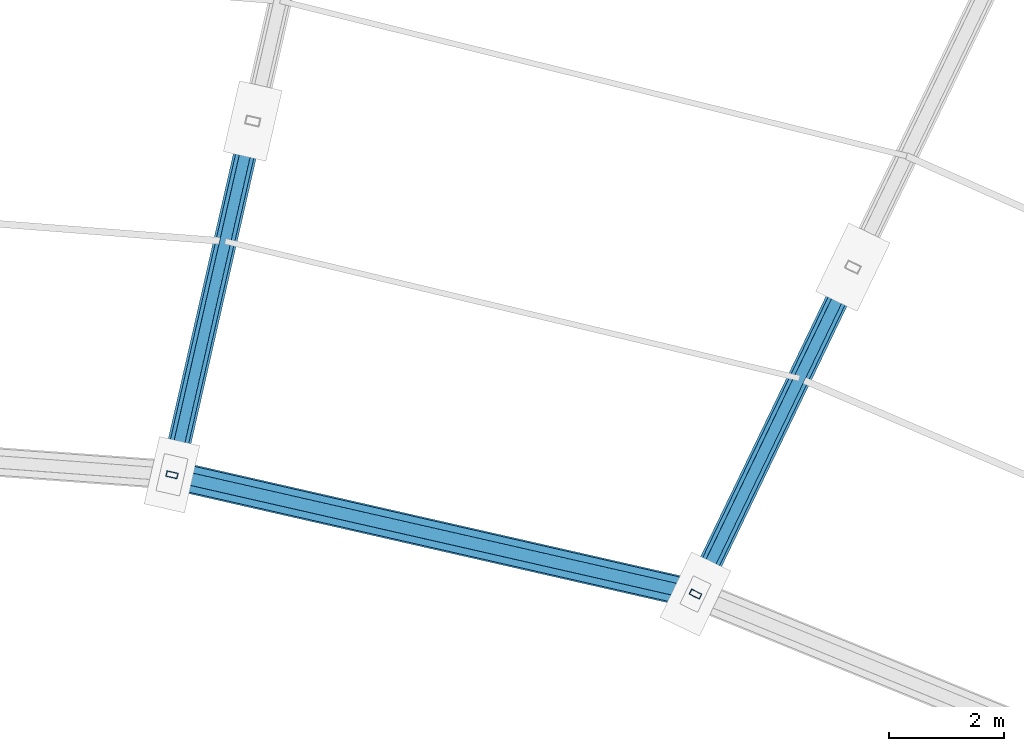
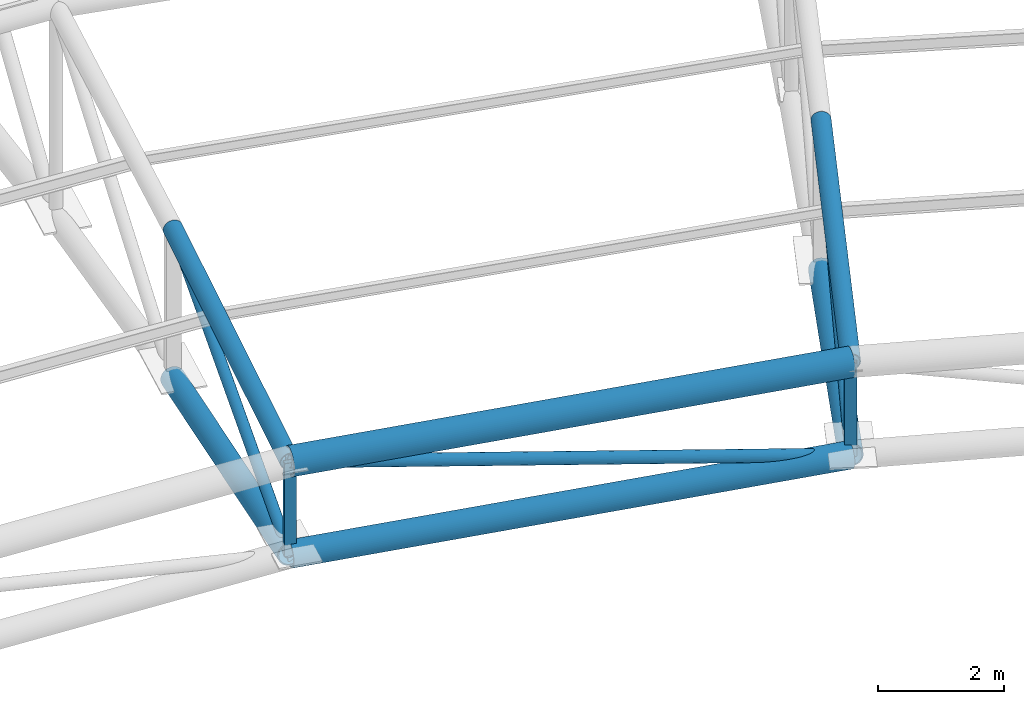
# One storey, part 51 of 108: 11 members.
"""IFC4 building model written with IfcOpenShell, lengths in metres."""

from ifc_helpers import new_model, si_unit, direction, frame, origin, origin_2d, place, context, subcontext, project, spatial, hollow_rectangle, hollow_circle, extrude, material, material_profile, profile_set, type_object, element, save


model = new_model("IFC4")

# Units and contexts
model_context = context("Model", 3, precision=1e-05, world=origin(), true_north=direction((0.0, 1.0)))
body_context = subcontext(model_context, "Body", "Model", "MODEL_VIEW")
ifc_project = project(units=[si_unit("LENGTHUNIT", "METRE"), si_unit("AREAUNIT", "SQUARE_METRE"), si_unit("VOLUMEUNIT", "CUBIC_METRE"), si_unit("PLANEANGLEUNIT", "RADIAN"), si_unit("MASSUNIT", "GRAM", prefix="KILO")], contexts=[model_context])

# Site, building, storey
site_placement = place(None, origin())
site = spatial("IfcSite", under=ifc_project, at=site_placement, CompositionType="ELEMENT")
building_placement = place(site_placement, origin())
building = spatial("IfcBuilding", under=site, at=building_placement, Name="Zevraka Park Crest Stadium", CompositionType="ELEMENT")
storey_placement = place(building_placement, frame((0.0, 0.0, 29.39990234375)))
storey = spatial("IfcBuildingStorey", under=building, at=storey_placement, Name="RF", CompositionType="ELEMENT", Elevation=29.39990234375)

# Members
ifc_material_1 = material(Name="Steel S355", Category="steel")
ifc_material_profile_1 = material_profile(ifc_material_1, hollow_circle(Radius=0.25390625, WallThickness=0.030029296875, at=origin_2d()), Name="CHS 508.0x30")
ifc_profile_set_1 = profile_set([ifc_material_profile_1], Name="Steel S355")
member_type_1 = type_object("IfcMemberType", Name="TC01", PredefinedType="CHORD", material=ifc_profile_set_1)
member_1_placement = place(storey_placement, frame((130.656982421875, 117.22705078125, 9.0), z_axis=(-0.975007666978, 0.222171216261, 0.0), x_axis=(-0.222171216261, -0.975007666978, 0.0)))
element("IfcMember", 1, at=member_1_placement, inside=storey, type_object=member_type_1, Name="Roof Inner Oculus Compression-Tension Ring TC01 06", PredefinedType="CHORD", context=body_context, shape_type="SweptSolid", body=[
    extrude(hollow_circle(Radius=0.25390625, WallThickness=0.030029296875, at=origin_2d()), origin(), (0.0, 0.0, 1.0), 9.32177734375),
])
ifc_material_2 = material(Name="Steel S355", Category="steel")
ifc_material_profile_2 = material_profile(ifc_material_2, hollow_circle(Radius=0.228515625, WallThickness=0.02490234375, at=origin_2d()), Name="CHS 457.0x25")
ifc_profile_set_2 = profile_set([ifc_material_profile_2], Name="Steel S355")
member_type_2 = type_object("IfcMemberType", Name="TC02", PredefinedType="CHORD", material=ifc_profile_set_2)
member_2_placement = place(storey_placement, frame((130.656982421875, 117.22705078125, 7.2001953125), z_axis=(-0.975007666978, 0.222171216261, 0.0), x_axis=(-0.222171216261, -0.975007666978, 0.0)))
element("IfcMember", 2, at=member_2_placement, inside=storey, type_object=member_type_2, Name="Roof Inner Oculus Bottom Ring TC02 06", PredefinedType="CHORD", context=body_context, shape_type="SweptSolid", body=[
    extrude(hollow_circle(Radius=0.228515625, WallThickness=0.02490234375, at=origin_2d()), origin(), (0.0, 0.0, 1.0), 9.32177734375),
])
ifc_material_3 = material(Name="Steel S355", Category="steel")
ifc_material_profile_3 = material_profile(ifc_material_3, hollow_circle(Radius=0.203125, WallThickness=0.02001953125, at=origin_2d()), Name="CHS 406.4x20")
ifc_profile_set_3 = profile_set([ifc_material_profile_3], Name="Steel S355")
member_type_3 = type_object("IfcMemberType", Name="TC03", PredefinedType="CHORD", material=ifc_profile_set_3)
for number, where, z_axis, x_axis, name in (
    (3, (133.389892578125, 122.903076171875, 6.400146484375), (-0.430360126312, -0.89382192037, 0.125986254594), (0.901001108726, -0.433816783994, 0.0), "Roof Truss Bottom Chord TC03 T06-7"),
    (4, (122.969970703125, 125.43994140625, 6.400146484375), (-0.220750829989, -0.967159287709, 0.125984059539), (0.974927248717, -0.222523840765, 0.0), "Roof Truss Bottom Chord TC03 T07-7"),
):
    element("IfcMember", number, at=place(storey_placement, frame(where, z_axis=z_axis, x_axis=x_axis)), inside=storey, type_object=member_type_3, Name=name, PredefinedType="CHORD", context=body_context, shape_type="SweptSolid", body=[
        extrude(hollow_circle(Radius=0.203125, WallThickness=0.02001953125, at=origin_2d()), origin(), (0.0, 0.0, 1.0), 6.350341796875),
    ])
ifc_material_4 = material(Name="Steel S355", Category="steel")
ifc_material_profile_4 = material_profile(ifc_material_4, hollow_circle(Radius=0.161865234375, WallThickness=0.01611328125, at=origin_2d()), Name="CHS 323.9x16")
ifc_profile_set_4 = profile_set([ifc_material_profile_4], Name="Steel S355")
member_type_4 = type_object("IfcMemberType", Name="TC04", PredefinedType="CHORD", material=ifc_profile_set_4)
for number, where, z_axis, x_axis, name in (
    (5, (133.389892578125, 122.903076171875, 9.300048828125), (-0.433325554908, -0.899980867077, -0.047575228424), (0.901001108726, -0.433816783994, 0.0), "Roof Truss Top Chord TC04 T06-7"),
    (6, (122.969970703125, 125.43994140625, 9.300048828125), (-0.222271876519, -0.973823336396, -0.04757438806), (0.974927248717, -0.222523840765, 0.0), "Roof Truss Top Chord TC04 T07-7"),
):
    element("IfcMember", number, at=place(storey_placement, frame(where, z_axis=z_axis, x_axis=x_axis)), inside=storey, type_object=member_type_4, Name=name, PredefinedType="CHORD", context=body_context, shape_type="SweptSolid", body=[
        extrude(hollow_circle(Radius=0.161865234375, WallThickness=0.01611328125, at=origin_2d()), origin(), (0.0, 0.0, 1.0), 6.306884765625),
    ])
ifc_material_5 = material(Name="Steel S355", Category="steel")
ifc_material_profile_5 = material_profile(ifc_material_5, hollow_circle(Radius=0.109619140625, WallThickness=0.010009765625, at=origin_2d()), Name="CHS 219.1x10")
ifc_profile_set_5 = profile_set([ifc_material_profile_5], Name="Steel S355")
member_type_5 = type_object("IfcMemberType", Name="WB02", PredefinedType="BRACE", material=ifc_profile_set_5)
member_3_placement = place(storey_placement, frame((130.656982421875, 117.22705078125, 7.2001953125), z_axis=(-0.957327517697, 0.218142509203, 0.189572860762), x_axis=(-0.222171216261, -0.975007666978, 0.0)))
element("IfcMember", 7, at=member_3_placement, inside=storey, type_object=member_type_5, Name="Roof Oculus Ring Brace WB02 06", PredefinedType="BRACE", context=body_context, shape_type="SweptSolid", body=[
    extrude(hollow_circle(Radius=0.109619140625, WallThickness=0.010009765625, at=origin_2d()), origin(), (0.0, 0.0, 1.0), 9.493896484375),
])
ifc_material_6 = material(Name="Steel S355", Category="steel")
ifc_material_profile_6 = material_profile(ifc_material_6, hollow_rectangle(XDim=0.10009765625, YDim=0.199951171875, WallThickness=0.008056640625, at=origin_2d()), Name="RHS 200x100x8")
ifc_profile_set_6 = profile_set([ifc_material_profile_6], Name="Steel S355")
member_type_6 = type_object("IfcMemberType", Name="WB05", PredefinedType="BRACE", material=ifc_profile_set_6)
for number, where, z_axis, x_axis, name in (
    (8, (130.656982421875, 117.22705078125, 7.2001953125), (0.0, 0.0, 1.0), (0.43381634559, 0.90100131981, 0.0), "Roof Truss Web Post WB05 T06-7"),
    (9, (121.568115234375, 119.298095703125, 7.2001953125), (0.0, 0.0, 1.0), (0.222569549971, 0.974916814618, 0.0), "Roof Truss Web Post WB05 T07-7"),
):
    element("IfcMember", number, at=place(storey_placement, frame(where, z_axis=z_axis, x_axis=x_axis)), inside=storey, type_object=member_type_6, Name=name, PredefinedType="BRACE", context=body_context, shape_type="SweptSolid", body=[
        extrude(hollow_rectangle(XDim=0.10009765625, YDim=0.199951171875, WallThickness=0.008056640625, at=origin_2d()), origin(), (0.0, 0.0, 1.0), 1.7998046875),
    ])
ifc_material_7 = material(Name="Steel S355", Category="steel")
ifc_material_profile_7 = material_profile(ifc_material_7, hollow_circle(Radius=0.096923828125, WallThickness=0.010009765625, at=origin_2d()), Name="CHS 193.7x10")
ifc_profile_set_7 = profile_set([ifc_material_profile_7], Name="Steel S355")
member_type_7 = type_object("IfcMemberType", Name="WB08", PredefinedType="BRACE", material=ifc_profile_set_7)
member_4_placement = place(storey_placement, frame((130.656982421875, 117.22705078125, 7.2001953125), z_axis=(0.411555566532, 0.854766425433, 0.316222032137), x_axis=(-0.901001108726, 0.433816783994, 0.0)))
element("IfcMember", 10, at=member_4_placement, inside=storey, type_object=member_type_7, Name="Roof Truss Web Diagonal WB08 T06-7", PredefinedType="BRACE", context=body_context, shape_type="SweptSolid", body=[
    extrude(hollow_circle(Radius=0.096923828125, WallThickness=0.010009765625, at=origin_2d()), origin(), (0.0, 0.0, 1.0), 6.640380859375),
])
member_5_placement = place(storey_placement, frame((121.568115234375, 119.298095703125, 7.2001953125), z_axis=(0.21110545018, 0.924900698394, 0.316216993556), x_axis=(-0.974927248717, 0.222523840765, 0.0)))
element("IfcMember", 11, at=member_5_placement, inside=storey, type_object=member_type_7, Name="Roof Truss Web Diagonal WB08 T07-7", PredefinedType="BRACE", context=body_context, shape_type="SweptSolid", body=[
    extrude(hollow_circle(Radius=0.096923828125, WallThickness=0.010009765625, at=origin_2d()), origin(), (0.0, 0.0, 1.0), 6.640625),
])

save(model, "model.ifc")
